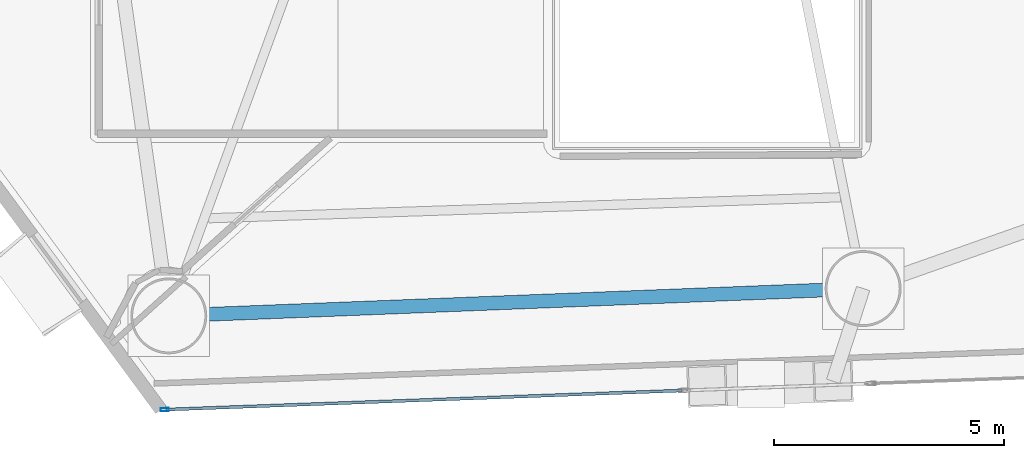
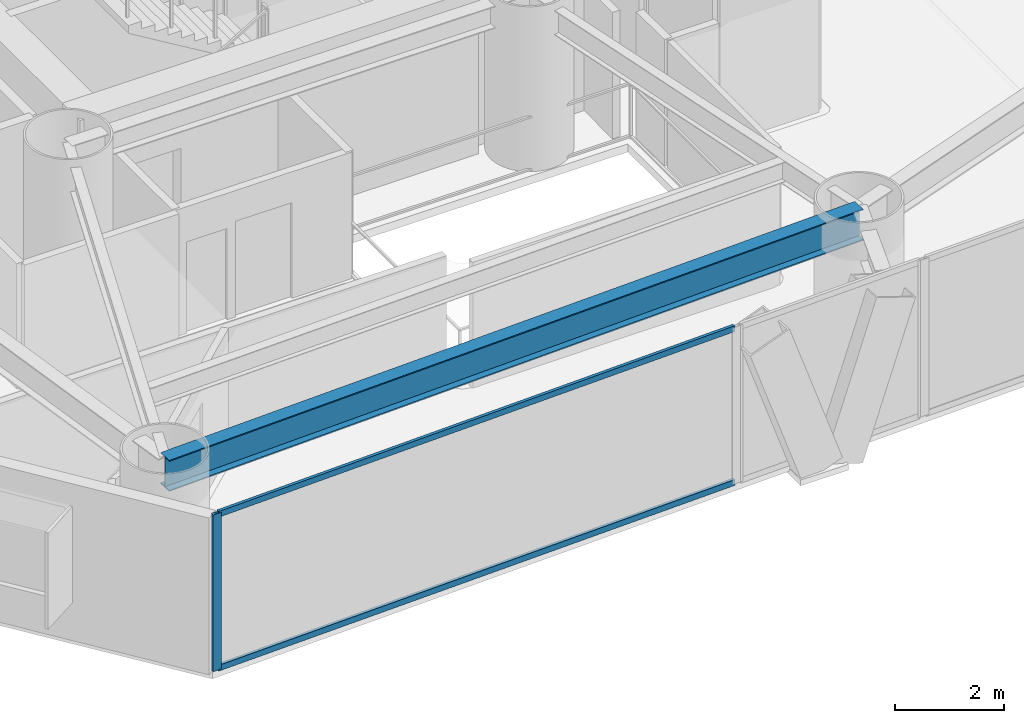
# One storey, part 2 of 23: 3 members, 1 beam, 1 element without a shape of its own.
"""IFC4 building model written with IfcOpenShell, lengths in metres."""

from ifc_helpers import new_model, si_unit, direction, frame, origin, origin_2d, place, context, subcontext, project, spatial, hollow_rectangle, i_section, extrude, material, layer, layer_set, material_profile, profile_set, type_object, element, aggregate, save


model = new_model("IFC4")

# Units and contexts
model_context = context("Model", 3, precision=1e-05, world=origin(), true_north=direction((0.0, 1.0)))
body_context = subcontext(model_context, "Body", "Model", "MODEL_VIEW")
ifc_project = project(units=[si_unit("LENGTHUNIT", "METRE"), si_unit("AREAUNIT", "SQUARE_METRE"), si_unit("VOLUMEUNIT", "CUBIC_METRE"), si_unit("PLANEANGLEUNIT", "RADIAN"), si_unit("MASSUNIT", "GRAM", prefix="KILO")], contexts=[model_context])

# Site, building, storey
site_placement = place(None, origin())
site = spatial("IfcSite", under=ifc_project, at=site_placement, CompositionType="ELEMENT")
building_placement = place(site_placement, origin())
building = spatial("IfcBuilding", under=site, at=building_placement, Name="Qianvela Tower", CompositionType="ELEMENT")
storey_placement = place(building_placement, frame((0.0, 0.0, 52.5)))
storey = spatial("IfcBuildingStorey", under=building, at=storey_placement, Name="L12", CompositionType="ELEMENT", Elevation=52.5)

# Beam
ifc_material_1 = material(Name="Steel Q355B", Category="steel")
ifc_material_profile_1 = material_profile(ifc_material_1, i_section(OverallWidth=0.300048828125, OverallDepth=0.699951171875, WebThickness=0.012939453125, FlangeThickness=0.02392578125, at=origin_2d()), Name="HN700x300x13x24")
ifc_profile_set_1 = profile_set([ifc_material_profile_1], Name="Steel Q355B")
beam_type = type_object("IfcBeamType", Name="BM-HN700-SPAND", PredefinedType="SPANDREL", material=ifc_profile_set_1)
beam_placement = place(storey_placement, frame((25.10009765625, 14.22509765625, 3.16796875), z_axis=(0.999226043345, 0.039335916178, 0.0), x_axis=(-0.039335916178, 0.999226043345, 0.0)))
element("IfcBeam", 1, at=beam_placement, inside=storey, type_object=beam_type, Name="L12 Perimeter Ring Spandrel Girder 5", PredefinedType="SPANDREL", context=body_context, shape_type="SweptSolid", body=[
    extrude(i_section(OverallWidth=0.300048828125, OverallDepth=0.699951171875, WebThickness=0.012939453125, FlangeThickness=0.02392578125, at=origin_2d()), origin(), (0.0, 0.0, 1.0), 15.1005859375),
])

# Curtain wall, members
ifc_material_2 = material(Name="Anodised Architectural Aluminium and Low-E Glass", Category="aluminium")
ifc_layer = layer(ifc_material_2, 0.179931640625)
ifc_layer_set = layer_set([ifc_layer], Name="Anodised Architectural Aluminium and Low-E Glass")
curtain_wall_type = type_object("IfcCurtainWallType", Name="CW-COLIV-Z12", PredefinedType="USERDEFINED", material=ifc_layer_set)
curtain_wall_placement = place(storey_placement, origin())
curtain_wall = element("IfcCurtainWall", 2, at=curtain_wall_placement, inside=storey, type_object=curtain_wall_type, Name="L12 CW-COLIV-Z12 Curtain Wall 06A", ObjectType="CURTAIN_WALL_SYSTEM", PredefinedType="USERDEFINED")
ifc_material_3 = material(Name="Anodised Architectural Aluminium 6063-T6", Category="aluminium")
ifc_material_profile_2 = material_profile(ifc_material_3, hollow_rectangle(XDim=0.070068359375, YDim=0.179931640625, WallThickness=0.0048828125, at=origin_2d()), Name="ALU-MULL-70x180")
ifc_profile_set_2 = profile_set([ifc_material_profile_2], Name="Anodised Architectural Aluminium 6063-T6")
member_type_1 = type_object("IfcMemberType", Name="CW-COLIV-Z12-MULL", PredefinedType="MULLION", material=ifc_profile_set_2)
member_1_placement = place(storey_placement, frame((25.012451171875, 12.187255859375, 0.0), z_axis=(0.0, 0.0, 1.0), x_axis=(-0.036872512444, 0.999319977698, 0.0)))
member_1 = element("IfcMember", 3, at=member_1_placement, type_object=member_type_1, Name="CW-3 mullion 1", PredefinedType="MULLION", context=body_context, shape_type="SweptSolid", body=[
    extrude(hollow_rectangle(XDim=0.070068359375, YDim=0.179931640625, WallThickness=0.0048828125, at=origin_2d()), origin(), (0.0, 0.0, 1.0), 3.52001953125),
])
ifc_material_4 = material(Name="Anodised Architectural Aluminium 6063-T6", Category="aluminium")
ifc_material_profile_3 = material_profile(ifc_material_4, hollow_rectangle(XDim=0.06494140625, YDim=0.1298828125, WallThickness=0.00439453125, at=origin_2d()), Name="ALU-TRAN-65x130")
ifc_profile_set_3 = profile_set([ifc_material_profile_3], Name="Anodised Architectural Aluminium 6063-T6")
member_type_2 = type_object("IfcMemberType", Name="CW-COLIV-Z12-TRAN", PredefinedType="USERDEFINED", material=ifc_profile_set_3)
member_2_placement = place(storey_placement, frame((25.04736328125, 12.1884765625, 0.032470703125), z_axis=(0.999320015048, 0.036871500174, 0.0), x_axis=(-0.036871500174, 0.999320015048, 0.0)))
member_2 = element("IfcMember", 4, at=member_2_placement, type_object=member_type_2, Name="CW-3 transom 1.1", ObjectType="TRANSOM", PredefinedType="USERDEFINED", context=body_context, shape_type="SweptSolid", body=[
    extrude(hollow_rectangle(XDim=0.06494140625, YDim=0.1298828125, WallThickness=0.00439453125, at=origin_2d()), origin(), (0.0, 0.0, 1.0), 11.2099609375),
])
member_3_placement = place(storey_placement, frame((25.04736328125, 12.1884765625, 3.487548828125), z_axis=(0.999320015048, 0.036871500174, 0.0), x_axis=(-0.036871500174, 0.999320015048, 0.0)))
member_3 = element("IfcMember", 5, at=member_3_placement, type_object=member_type_2, Name="CW-3 transom 1.2", ObjectType="TRANSOM", PredefinedType="USERDEFINED", context=body_context, shape_type="SweptSolid", body=[
    extrude(hollow_rectangle(XDim=0.06494140625, YDim=0.1298828125, WallThickness=0.00439453125, at=origin_2d()), origin(), (0.0, 0.0, 1.0), 11.2099609375),
])
aggregate(curtain_wall, [member_1, member_2, member_3])

save(model, "model.ifc")
